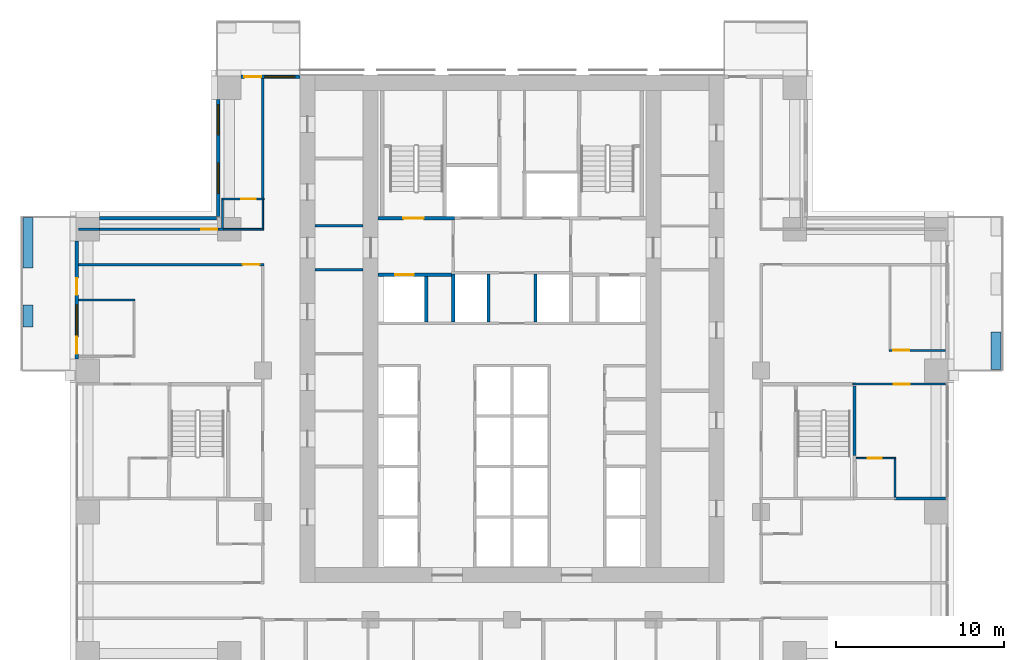
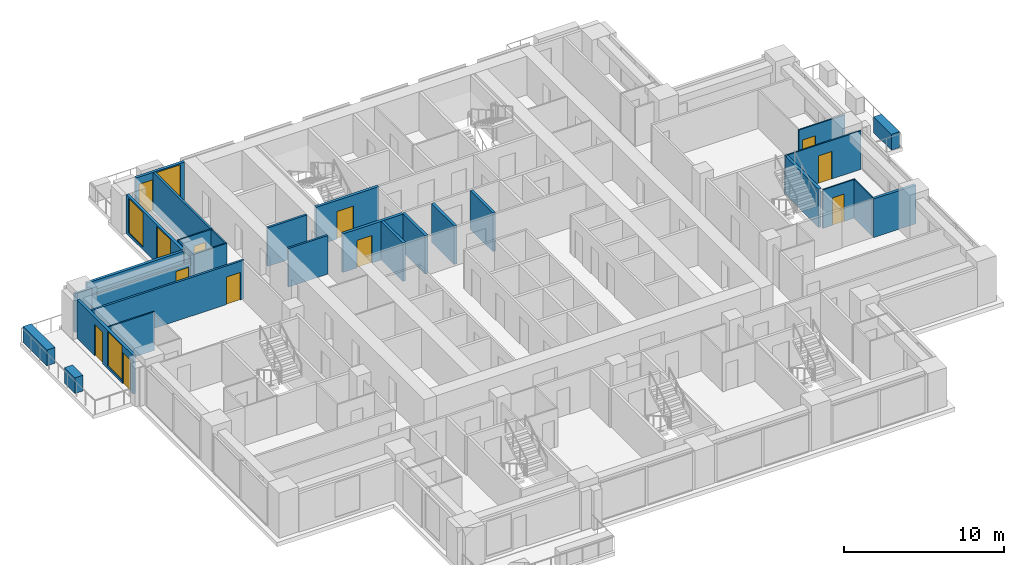
# One storey, part 10 of 16: 31 walls, 11 doors, 4 windows, 15 openings.
"""IFC4 building model written with IfcOpenShell, lengths in metres."""

from ifc_helpers import new_model, si_unit, direction, frame, frame_2d, origin, place, context, subcontext, project, spatial, rectangle, extrude, material, layer, layer_set, type_object, element, fill, save


model = new_model("IFC4")

# Units and contexts
model_context = context("Model", 3, precision=1e-05, world=origin(), true_north=direction((0.0, 1.0)))
body_context = subcontext(model_context, "Body", "Model", "MODEL_VIEW")
ifc_project = project(units=[si_unit("LENGTHUNIT", "METRE"), si_unit("AREAUNIT", "SQUARE_METRE"), si_unit("VOLUMEUNIT", "CUBIC_METRE"), si_unit("PLANEANGLEUNIT", "RADIAN"), si_unit("MASSUNIT", "GRAM", prefix="KILO")], contexts=[model_context])

# Site, building, storey
site_placement = place(None, origin())
site = spatial("IfcSite", under=ifc_project, at=site_placement, CompositionType="ELEMENT")
building_placement = place(site_placement, origin())
building = spatial("IfcBuilding", under=site, at=building_placement, Name="Vermilion Ogive Tower", CompositionType="ELEMENT")
storey_placement = place(building_placement, frame((0.0, 0.0, 72.449951171875)))
storey = spatial("IfcBuildingStorey", under=building, at=storey_placement, Name="L17", CompositionType="ELEMENT", Elevation=72.449951171875)

# Wall, opening, door
ifc_material_1 = material(Name="Gypsum board partition on steel studs", Category="steel")
ifc_layer_1 = layer(ifc_material_1, 0.10009765625)
ifc_layer_set_1 = layer_set([ifc_layer_1], Name="Partition 100 bath")
wall_type_1 = type_object("IfcWallType", Name="Partition 100 bath", PredefinedType="PARTITIONING", material=ifc_layer_set_1)
wall_1_placement = place(storey_placement, frame((20.449951171875, -1.0, 0.0), z_axis=(0.0, 0.0, 1.0), x_axis=(1.0, 0.0, 0.0)))
wall_1 = element("IfcWall", 1, at=wall_1_placement, inside=storey, type_object=wall_type_1, Name="L17-W-W034", PredefinedType="PARTITIONING", context=body_context, shape_type="SweptSolid", body=[
    extrude(rectangle(XDim=2.35009765625, YDim=0.10009765625, at=frame_2d((1.175048828125, 0.0))), origin(), (0.0, 0.0, 1.0), 2.949951171875),
])
opening_1_placement = place(wall_1_placement, frame((0.675048828125, 0.0, 0.0)))
opening_1 = element("IfcOpeningElement", 2, at=opening_1_placement, cuts=wall_1, Name="Opening D1G6022", PredefinedType="OPENING", context=body_context, shape_type="SweptSolid", body=[
    extrude(rectangle(XDim=0.85009765625, YDim=2.10009765625, at=frame_2d((0.425048828125, 1.050048828125))), frame((0.0, 0.06005859375, 0.0), z_axis=(0.0, -1.0, 0.0), x_axis=(1.0, 0.0, 0.0)), (0.0, 0.0, 1.0), 0.1201171875),
])
ifc_material_2 = material(Name="Timber door leaf", Category="wood")
door_type_1 = type_object("IfcDoorType", Name="Bath door 850 x 2100 FD30", OperationType="SINGLE_SWING_LEFT", PredefinedType="DOOR", material=ifc_material_2)
door_1_placement = place(opening_1_placement, origin())
door_1 = element("IfcDoor", 3, at=door_1_placement, inside=storey, type_object=door_type_1, Name="L17-D-D022", OperationType="SINGLE_SWING_RIGHT", OverallHeight=2.10009765625, OverallWidth=0.85009765625, PredefinedType="DOOR", context=body_context, shape_type="SweptSolid", body=[
    extrude(rectangle(XDim=0.85009765625, YDim=2.10009765625, at=frame_2d((0.425048828125, 1.050048828125))), frame((0.0, 0.02490234375, 0.0), z_axis=(0.0, -1.0, 0.0), x_axis=(1.0, 0.0, 0.0)), (0.0, 0.0, 1.0), 0.050048828125),
])
fill(opening_1, door_1)

# Wall
wall_2_placement = place(storey_placement, frame((-17.25, 12.60009765625, 0.0), z_axis=(0.0, 0.0, 1.0), x_axis=(1.0, 0.0, 0.0)))
element("IfcWall", 4, at=wall_2_placement, inside=storey, type_object=wall_type_1, Name="L17-W-W045", PredefinedType="PARTITIONING", context=body_context, shape_type="SweptSolid", body=[
    extrude(rectangle(XDim=2.5, YDim=0.10009765625, at=frame_2d((1.25, 0.0))), origin(), (0.0, 0.0, 1.0), 2.949951171875),
])

# Wall, opening, door
wall_3_placement = place(storey_placement, frame((-17.25, 14.39990234375, 0.0), z_axis=(0.0, 0.0, 1.0), x_axis=(1.0, 0.0, 0.0)))
wall_3 = element("IfcWall", 5, at=wall_3_placement, inside=storey, type_object=wall_type_1, Name="L17-W-W048", PredefinedType="PARTITIONING", context=body_context, shape_type="SweptSolid", body=[
    extrude(rectangle(XDim=2.52490234375, YDim=0.10009765625, at=frame_2d((1.262451171875, 0.0))), origin(), (0.0, 0.0, 1.0), 2.949951171875),
])
opening_2_placement = place(wall_3_placement, frame((1.175048828125, 0.0, 0.0)))
opening_2 = element("IfcOpeningElement", 6, at=opening_2_placement, cuts=wall_3, Name="Opening D1G6010", PredefinedType="OPENING", context=body_context, shape_type="SweptSolid", body=[
    extrude(rectangle(XDim=0.85009765625, YDim=2.10009765625, at=frame_2d((0.425048828125, 1.050048828125))), frame((0.0, 0.06005859375, 0.0), z_axis=(0.0, -1.0, 0.0), x_axis=(1.0, 0.0, 0.0)), (0.0, 0.0, 1.0), 0.1201171875),
])
door_2_placement = place(opening_2_placement, origin())
door_2 = element("IfcDoor", 7, at=door_2_placement, inside=storey, type_object=door_type_1, Name="L17-D-D010", OperationType="SINGLE_SWING_RIGHT", OverallHeight=2.10009765625, OverallWidth=0.85009765625, PredefinedType="DOOR", context=body_context, shape_type="SweptSolid", body=[
    extrude(rectangle(XDim=0.85009765625, YDim=2.10009765625, at=frame_2d((0.425048828125, 1.050048828125))), frame((0.0, 0.02490234375, 0.0), z_axis=(0.0, -1.0, 0.0), x_axis=(1.0, 0.0, 0.0)), (0.0, 0.0, 1.0), 0.050048828125),
])
fill(opening_2, door_2)

# Walls
wall_4_placement = place(storey_placement, frame((-17.199951171875, 12.675048828125, 0.0), z_axis=(0.0, 0.0, 1.0), x_axis=(0.0, 1.0, 0.0)))
element("IfcWall", 8, at=wall_4_placement, inside=storey, type_object=wall_type_1, Name="L17-W-W056", PredefinedType="PARTITIONING", context=body_context, shape_type="SweptSolid", body=[
    extrude(rectangle(XDim=1.675048828125, YDim=0.10009765625, at=frame_2d((0.83740234375, 0.0))), origin(), (0.0, 0.0, 1.0), 2.949951171875),
])
wall_5_placement = place(storey_placement, frame((-14.800048828125, 12.64990234375, 0.0), z_axis=(0.0, 0.0, 1.0), x_axis=(0.0, 1.0, 0.0)))
element("IfcWall", 9, at=wall_5_placement, inside=storey, type_object=wall_type_1, Name="L17-W-W063", PredefinedType="PARTITIONING", context=body_context, shape_type="SweptSolid", body=[
    extrude(rectangle(XDim=1.7001953125, YDim=0.10009765625, at=frame_2d((0.85009765625, 0.0))), origin(), (0.0, 0.0, 1.0), 2.949951171875),
])
wall_6_placement = place(storey_placement, frame((22.75, -3.300048828125, 0.0), z_axis=(0.0, 0.0, 1.0), x_axis=(0.0, 1.0, 0.0)))
element("IfcWall", 10, at=wall_6_placement, inside=storey, type_object=wall_type_1, Name="L17-W-W095", PredefinedType="PARTITIONING", context=body_context, shape_type="SweptSolid", body=[
    extrude(rectangle(XDim=2.25, YDim=0.10009765625, at=frame_2d((1.125, 0.0))), origin(), (0.0, 0.0, 1.0), 2.949951171875),
])

# Wall, opening, door
ifc_material_3 = material(Name="Gypsum board partition on steel studs", Category="steel")
ifc_layer_2 = layer(ifc_material_3, 0.10009765625)
ifc_layer_set_2 = layer_set([ifc_layer_2], Name="Partition 100 inner")
wall_type_2 = type_object("IfcWallType", Name="Partition 100 inner", PredefinedType="PARTITIONING", material=ifc_layer_set_2)
wall_7_placement = place(storey_placement, frame((20.25, 3.39990234375, 0.0), z_axis=(0.0, 0.0, 1.0), x_axis=(1.0, 0.0, 0.0)))
wall_7 = element("IfcWall", 11, at=wall_7_placement, inside=storey, type_object=wall_type_2, Name="L17-W-W038", PredefinedType="PARTITIONING", context=body_context, shape_type="SweptSolid", body=[
    extrude(rectangle(XDim=5.5, YDim=0.10009765625, at=frame_2d((2.75, 0.0))), origin(), (0.0, 0.0, 1.0), 2.949951171875),
])
opening_3_placement = place(wall_7_placement, frame((2.425048828125, 0.0, 0.0)))
opening_3 = element("IfcOpeningElement", 12, at=opening_3_placement, cuts=wall_7, Name="Opening D1G6021", PredefinedType="OPENING", context=body_context, shape_type="SweptSolid", body=[
    extrude(rectangle(XDim=0.949951171875, YDim=2.10009765625, at=frame_2d((0.47509765625, 1.050048828125))), frame((0.0, 0.06005859375, 0.0), z_axis=(0.0, -1.0, 0.0), x_axis=(1.0, 0.0, 0.0)), (0.0, 0.0, 1.0), 0.1201171875),
])
ifc_material_4 = material(Name="Timber door leaf", Category="wood")
door_type_2 = type_object("IfcDoorType", Name="Inner door 950 x 2100 FD30", OperationType="SINGLE_SWING_LEFT", PredefinedType="DOOR", material=ifc_material_4)
door_3_placement = place(opening_3_placement, origin())
door_3 = element("IfcDoor", 13, at=door_3_placement, inside=storey, type_object=door_type_2, Name="L17-D-D021", OperationType="SINGLE_SWING_LEFT", OverallHeight=2.10009765625, OverallWidth=0.949951171875, PredefinedType="DOOR", context=body_context, shape_type="SweptSolid", body=[
    extrude(rectangle(XDim=0.949951171875, YDim=2.10009765625, at=frame_2d((0.47509765625, 1.050048828125))), frame((0.0, 0.02490234375, 0.0), z_axis=(0.0, -1.0, 0.0), x_axis=(1.0, 0.0, 0.0)), (0.0, 0.0, 1.0), 0.050048828125),
])
fill(opening_3, door_3)

wall_8_placement = place(storey_placement, frame((22.39990234375, 5.39990234375, 0.0), z_axis=(0.0, 0.0, 1.0), x_axis=(1.0, 0.0, 0.0)))
wall_8 = element("IfcWall", 14, at=wall_8_placement, inside=storey, type_object=wall_type_2, Name="L17-W-W040", PredefinedType="PARTITIONING", context=body_context, shape_type="SweptSolid", body=[
    extrude(rectangle(XDim=3.35009765625, YDim=0.10009765625, at=frame_2d((1.675048828125, 0.0))), origin(), (0.0, 0.0, 1.0), 2.949951171875),
])
opening_4_placement = place(wall_8_placement, frame((0.25, 0.0, 0.0)))
opening_4 = element("IfcOpeningElement", 15, at=opening_4_placement, cuts=wall_8, Name="Opening D1G6019", PredefinedType="OPENING", context=body_context, shape_type="SweptSolid", body=[
    extrude(rectangle(XDim=0.949951171875, YDim=2.10009765625, at=frame_2d((0.47509765625, 1.050048828125))), frame((0.0, 0.06005859375, 0.0), z_axis=(0.0, -1.0, 0.0), x_axis=(1.0, 0.0, 0.0)), (0.0, 0.0, 1.0), 0.1201171875),
])
door_4_placement = place(opening_4_placement, origin())
door_4 = element("IfcDoor", 16, at=door_4_placement, inside=storey, type_object=door_type_2, Name="L17-D-D019", OperationType="SINGLE_SWING_LEFT", OverallHeight=2.10009765625, OverallWidth=0.949951171875, PredefinedType="DOOR", context=body_context, shape_type="SweptSolid", body=[
    extrude(rectangle(XDim=0.949951171875, YDim=2.10009765625, at=frame_2d((0.47509765625, 1.050048828125))), frame((0.0, 0.02490234375, 0.0), z_axis=(0.0, -1.0, 0.0), x_axis=(1.0, 0.0, 0.0)), (0.0, 0.0, 1.0), 0.050048828125),
])
fill(opening_4, door_4)

# Wall
wall_9_placement = place(storey_placement, frame((-25.75, 8.39990234375, 0.0), z_axis=(0.0, 0.0, 1.0), x_axis=(1.0, 0.0, 0.0)))
element("IfcWall", 17, at=wall_9_placement, inside=storey, type_object=wall_type_2, Name="L17-W-W041", PredefinedType="PARTITIONING", context=body_context, shape_type="SweptSolid", body=[
    extrude(rectangle(XDim=3.35009765625, YDim=0.10009765625, at=frame_2d((1.675048828125, 0.0))), origin(), (0.0, 0.0, 1.0), 2.949951171875),
])

# Wall, opening, door
ifc_material_5 = material(Name="Gypsum board partition on steel studs", Category="steel")
ifc_layer_3 = layer(ifc_material_5, 0.14990234375)
ifc_layer_set_3 = layer_set([ifc_layer_3], Name="Partition 150 corridor")
wall_type_3 = type_object("IfcWallType", Name="Partition 150 corridor", PredefinedType="PARTITIONING", material=ifc_layer_set_3)
wall_10_placement = place(storey_placement, frame((-25.75, 10.5, 0.0), z_axis=(0.0, 0.0, 1.0), x_axis=(1.0, 0.0, 0.0)))
wall_10 = element("IfcWall", 18, at=wall_10_placement, inside=storey, type_object=wall_type_3, Name="L17-W-W042", PredefinedType="PARTITIONING", context=body_context, shape_type="SweptSolid", body=[
    extrude(rectangle(XDim=11.02490234375, YDim=0.14990234375, at=frame_2d((5.512451171875, 0.0))), origin(), (0.0, 0.0, 1.0), 2.949951171875),
])
opening_5_placement = place(wall_10_placement, frame((9.75, 0.0, 0.0)))
opening_5 = element("IfcOpeningElement", 19, at=opening_5_placement, cuts=wall_10, Name="Opening D1G6006", PredefinedType="OPENING", context=body_context, shape_type="SweptSolid", body=[
    extrude(rectangle(XDim=1.0, YDim=2.10009765625, at=frame_2d((0.5, 1.050048828125))), frame((0.0, 0.0849609375, 0.0), z_axis=(0.0, -1.0, 0.0), x_axis=(1.0, 0.0, 0.0)), (0.0, 0.0, 1.0), 0.169921875),
])
ifc_material_6 = material(Name="Timber door leaf", Category="wood")
door_type_3 = type_object("IfcDoorType", Name="Unit door 1000 x 2100 FD30S", OperationType="SINGLE_SWING_LEFT", PredefinedType="DOOR", material=ifc_material_6)
door_5_placement = place(opening_5_placement, origin())
door_5 = element("IfcDoor", 20, at=door_5_placement, inside=storey, type_object=door_type_3, Name="L17-D-D006", OperationType="SINGLE_SWING_RIGHT", OverallHeight=2.10009765625, OverallWidth=1.0, PredefinedType="DOOR", context=body_context, shape_type="SweptSolid", body=[
    extrude(rectangle(XDim=1.0, YDim=2.10009765625, at=frame_2d((0.5, 1.050048828125))), frame((0.0, 0.02490234375, 0.0), z_axis=(0.0, -1.0, 0.0), x_axis=(1.0, 0.0, 0.0)), (0.0, 0.0, 1.0), 0.050048828125),
])
fill(opening_5, door_5)

# Walls
wall_11_placement = place(storey_placement, frame((-25.75, 12.60009765625, 0.0), z_axis=(0.0, 0.0, 1.0), x_axis=(1.0, 0.0, 0.0)))
element("IfcWall", 21, at=wall_11_placement, inside=storey, type_object=wall_type_3, Name="L17-W-W044", PredefinedType="PARTITIONING", context=body_context, shape_type="SweptSolid", body=[
    extrude(rectangle(XDim=1.25, YDim=0.14990234375, at=frame_2d((0.625, 0.0))), origin(), (0.0, 0.0, 1.0), 2.949951171875),
])
wall_12_placement = place(storey_placement, frame((-14.800048828125, 14.449951171875, 0.0), z_axis=(0.0, 0.0, 1.0), x_axis=(0.0, 1.0, 0.0)))
element("IfcWall", 22, at=wall_12_placement, inside=storey, type_object=wall_type_3, Name="L17-W-W064", PredefinedType="PARTITIONING", context=body_context, shape_type="SweptSolid", body=[
    extrude(rectangle(XDim=7.10009765625, YDim=0.14990234375, at=frame_2d((3.550048828125, 0.0))), origin(), (0.0, 0.0, 1.0), 2.949951171875),
])
for number, where, z_axis, x_axis, name in (
    (23, (-11.698974609375, 10.199951171875, 0.0), (0.0, 0.0, 1.0), (1.0, 0.0, 0.0), "L17-CKW-W-W004"),
    (24, (-11.698974609375, 12.800048828125, 0.0), (0.0, 0.0, 1.0), (1.0, 0.0, 0.0), "L17-CKW-W-W005"),
):
    element("IfcWall", number, at=place(storey_placement, frame(where, z_axis=z_axis, x_axis=x_axis)), inside=storey, type_object=wall_type_3, Name=name, PredefinedType="PARTITIONING", context=body_context, shape_type="SweptSolid", body=[
        extrude(rectangle(XDim=2.847900390625, YDim=0.14990234375, at=frame_2d((1.423828125, 0.0))), origin(), (0.0, 0.0, 1.0), 2.949951171875),
    ])

# Wall, opening, door
wall_13_placement = place(storey_placement, frame((-24.5, 12.60009765625, 0.0), z_axis=(0.0, 0.0, 1.0), x_axis=(1.0, 0.0, 0.0)))
wall_13 = element("IfcWall", 25, at=wall_13_placement, inside=storey, type_object=wall_type_3, Name="L17-W-W044-h1", PredefinedType="PARTITIONING", context=body_context, shape_type="SweptSolid", body=[
    extrude(rectangle(XDim=7.099853515625, YDim=0.14990234375, at=frame_2d((3.5498046875, 0.0))), origin(), (0.0, 0.0, 1.0), 2.400146484375),
])
opening_6_placement = place(wall_13_placement, frame((6.0498046875, 0.0, 0.0)))
opening_6 = element("IfcOpeningElement", 26, at=opening_6_placement, cuts=wall_13, Name="Opening D1G6009", PredefinedType="OPENING", context=body_context, shape_type="SweptSolid", body=[
    extrude(rectangle(XDim=0.949951171875, YDim=2.10009765625, at=frame_2d((0.47509765625, 1.050048828125))), frame((0.0, 0.0849609375, 0.0), z_axis=(0.0, -1.0, 0.0), x_axis=(1.0, 0.0, 0.0)), (0.0, 0.0, 1.0), 0.169921875),
])
ifc_material_7 = material(Name="Timber door leaf", Category="wood")
door_type_4 = type_object("IfcDoorType", Name="Unit door 950 x 2100 FD30S", OperationType="SINGLE_SWING_LEFT", PredefinedType="DOOR", material=ifc_material_7)
door_6_placement = place(opening_6_placement, origin())
door_6 = element("IfcDoor", 27, at=door_6_placement, inside=storey, type_object=door_type_4, Name="L17-D-D009", OperationType="SINGLE_SWING_LEFT", OverallHeight=2.10009765625, OverallWidth=0.949951171875, PredefinedType="DOOR", context=body_context, shape_type="SweptSolid", body=[
    extrude(rectangle(XDim=0.949951171875, YDim=2.10009765625, at=frame_2d((0.47509765625, 1.050048828125))), frame((0.0, 0.02490234375, 0.0), z_axis=(0.0, -1.0, 0.0), x_axis=(1.0, 0.0, 0.0)), (0.0, 0.0, 1.0), 0.050048828125),
])
fill(opening_6, door_6)

# Walls
wall_14_placement = place(storey_placement, frame((-17.400146484375, 12.60009765625, 0.0), z_axis=(0.0, 0.0, 1.0), x_axis=(1.0, 0.0, 0.0)))
element("IfcWall", 28, at=wall_14_placement, inside=storey, type_object=wall_type_3, Name="L17-W-W044-h2", PredefinedType="PARTITIONING", context=body_context, shape_type="SweptSolid", body=[
    extrude(rectangle(XDim=0.250244140625, YDim=0.14990234375, at=frame_2d((0.125, 0.0))), origin(), (0.0, 0.0, 1.0), 2.949951171875),
])
ifc_material_8 = material(Name="Gypsum board partition on steel studs", Category="steel")
ifc_layer_4 = layer(ifc_material_8, 0.199951171875)
ifc_layer_set_4 = layer_set([ifc_layer_4], Name="Partition 200 party")
wall_type_4 = type_object("IfcWallType", Name="Partition 200 party", PredefinedType="PARTITIONING", material=ifc_layer_set_4)
wall_15_placement = place(storey_placement, frame((22.699951171875, -3.39990234375, 0.0), z_axis=(0.0, 0.0, 1.0), x_axis=(1.0, 0.0, 0.0)))
element("IfcWall", 29, at=wall_15_placement, inside=storey, type_object=wall_type_4, Name="L17-W-W032", PredefinedType="PARTITIONING", context=body_context, shape_type="SweptSolid", body=[
    extrude(rectangle(XDim=3.050048828125, YDim=0.199951171875, at=frame_2d((1.52490234375, 0.0))), origin(), (0.0, 0.0, 1.0), 2.949951171875),
])

# Wall, opening, door
wall_16_placement = place(storey_placement, frame((-7.948974609375, 9.89990234375, 0.0), z_axis=(0.0, 0.0, 1.0), x_axis=(1.0, 0.0, 0.0)))
wall_16 = element("IfcWall", 30, at=wall_16_placement, inside=storey, type_object=wall_type_4, Name="L17-CK-W-W015", PredefinedType="PARTITIONING", context=body_context, shape_type="SweptSolid", body=[
    extrude(rectangle(XDim=4.348876953125, YDim=0.199951171875, at=frame_2d((2.17431640625, 0.0))), origin(), (0.0, 0.0, 1.0), 2.949951171875),
])
opening_7_placement = place(wall_16_placement, frame((0.9990234375, 0.0, 0.0)))
opening_7 = element("IfcOpeningElement", 31, at=opening_7_placement, cuts=wall_16, Name="Opening DAA136", PredefinedType="OPENING", context=body_context, shape_type="SweptSolid", body=[
    extrude(rectangle(XDim=1.10009765625, YDim=2.10009765625, at=frame_2d((0.550048828125, 1.050048828125))), frame((0.0, 0.10986328125, 0.0), z_axis=(0.0, -1.0, 0.0), x_axis=(1.0, 0.0, 0.0)), (0.0, 0.0, 1.0), 0.219970703125),
])
ifc_material_9 = material(Name="Stainless steel", Category="steel")
door_type_5 = type_object("IfcDoorType", Name="Lift landing door 1100 x 2100", OperationType="SLIDING_TO_LEFT", PredefinedType="DOOR", material=ifc_material_9)
door_7_placement = place(opening_7_placement, origin())
door_7 = element("IfcDoor", 32, at=door_7_placement, inside=storey, type_object=door_type_5, Name="L17-CK-D-D013", OperationType="SLIDING_TO_RIGHT", OverallHeight=2.10009765625, OverallWidth=1.10009765625, PredefinedType="DOOR", context=body_context, shape_type="SweptSolid", body=[
    extrude(rectangle(XDim=1.10009765625, YDim=2.10009765625, at=frame_2d((0.550048828125, 1.050048828125))), frame((0.0, 0.02490234375, 0.0), z_axis=(0.0, -1.0, 0.0), x_axis=(1.0, 0.0, 0.0)), (0.0, 0.0, 1.0), 0.050048828125),
])
fill(opening_7, door_7)

# Walls
wall_17_placement = place(storey_placement, frame((-5.10009765625, 7.074951171875, 0.0), z_axis=(0.0, 0.0, 1.0), x_axis=(0.0, 1.0, 0.0)))
element("IfcWall", 33, at=wall_17_placement, inside=storey, type_object=wall_type_4, Name="L17-CK-W-W024", PredefinedType="PARTITIONING", context=body_context, shape_type="SweptSolid", body=[
    extrude(rectangle(XDim=2.72509765625, YDim=0.199951171875, at=frame_2d((1.362548828125, 0.0))), origin(), (0.0, 0.0, 1.0), 2.949951171875),
])
for number, where, z_axis, x_axis, name in (
    (34, (-3.5, 7.074951171875, 0.0), (0.0, 0.0, 1.0), (0.0, 1.0, 0.0), "L17-CK-W-W026"),
    (35, (-1.39990234375, 7.074951171875, 0.0), (0.0, 0.0, 1.0), (0.0, 1.0, 0.0), "L17-CK-W-W029"),
    (36, (1.39990234375, 7.074951171875, 0.0), (0.0, 0.0, 1.0), (0.0, 1.0, 0.0), "L17-CK-W-W034"),
):
    element("IfcWall", number, at=place(storey_placement, frame(where, z_axis=z_axis, x_axis=x_axis)), inside=storey, type_object=wall_type_4, Name=name, PredefinedType="PARTITIONING", context=body_context, shape_type="SweptSolid", body=[
        extrude(rectangle(XDim=2.85009765625, YDim=0.199951171875, at=frame_2d((1.425048828125, 0.0))), origin(), (0.0, 0.0, 1.0), 2.949951171875),
    ])
ifc_material_10 = material(Name="Concrete B60", Category="concrete")
ifc_layer_5 = layer(ifc_material_10, 0.199951171875)
ifc_layer_set_5 = layer_set([ifc_layer_5], Name="Stair shaft wall 200 Concrete B60")
wall_type_5 = type_object("IfcWallType", Name="Stair shaft wall 200 Concrete B60", PredefinedType="SOLIDWALL", material=ifc_layer_set_5)
wall_18_placement = place(storey_placement, frame((20.35009765625, -0.830078125, 0.0), z_axis=(0.0, 0.0, 1.0), x_axis=(0.0, 1.0, 0.0)))
element("IfcWall", 37, at=wall_18_placement, inside=storey, type_object=wall_type_5, Name="L17-W-W093", PredefinedType="SOLIDWALL", context=body_context, shape_type="SweptSolid", body=[
    extrude(rectangle(XDim=4.130126953125, YDim=0.199951171875, at=frame_2d((2.06494140625, 0.0))), origin(), (0.0, 0.0, 1.0), 2.949951171875),
])

# Wall, opening, door
wall_19_placement = place(storey_placement, frame((-7.948974609375, 13.25, 0.0), z_axis=(0.0, 0.0, 1.0), x_axis=(1.0, 0.0, 0.0)))
wall_19 = element("IfcWall", 38, at=wall_19_placement, inside=storey, type_object=wall_type_5, Name="L17-CK-W-W018", PredefinedType="SOLIDWALL", context=body_context, shape_type="SweptSolid", body=[
    extrude(rectangle(XDim=4.52392578125, YDim=0.199951171875, at=frame_2d((2.261962890625, 0.0))), origin(), (0.0, 0.0, 1.0), 2.949951171875),
])
opening_8_placement = place(wall_19_placement, frame((1.4990234375, 0.0, 0.0)))
opening_8 = element("IfcOpeningElement", 39, at=opening_8_placement, cuts=wall_19, Name="Opening DAA124", PredefinedType="OPENING", context=body_context, shape_type="SweptSolid", body=[
    extrude(rectangle(XDim=1.199951171875, YDim=2.10009765625, at=frame_2d((0.60009765625, 1.050048828125))), frame((0.0, 0.10986328125, 0.0), z_axis=(0.0, -1.0, 0.0), x_axis=(1.0, 0.0, 0.0)), (0.0, 0.0, 1.0), 0.219970703125),
])
ifc_material_11 = material(Name="Timber door leaf", Category="wood")
door_type_6 = type_object("IfcDoorType", Name="Stair door 1200 x 2100 FD60S", OperationType="SINGLE_SWING_LEFT", PredefinedType="DOOR", material=ifc_material_11)
door_8_placement = place(opening_8_placement, origin())
door_8 = element("IfcDoor", 40, at=door_8_placement, inside=storey, type_object=door_type_6, Name="L17-CK-D-D012", OperationType="SINGLE_SWING_LEFT", OverallHeight=2.10009765625, OverallWidth=1.199951171875, PredefinedType="DOOR", context=body_context, shape_type="SweptSolid", body=[
    extrude(rectangle(XDim=1.199951171875, YDim=2.10009765625, at=frame_2d((0.60009765625, 1.050048828125))), frame((0.0, 0.02490234375, 0.0), z_axis=(0.0, -1.0, 0.0), x_axis=(1.0, 0.0, 0.0)), (0.0, 0.0, 1.0), 0.050048828125),
])
fill(opening_8, door_8)

# Walls
ifc_material_12 = material(Name="Concrete B40", Category="concrete")
ifc_layer_6 = layer(ifc_material_12, 0.60009765625)
ifc_layer_set_6 = layer_set([ifc_layer_6], Name="Structural planter")
wall_type_6 = type_object("IfcWallType", Name="Structural planter", PredefinedType="USERDEFINED", material=ifc_layer_set_6)
wall_20_placement = place(storey_placement, frame((28.75, 4.260009765625, -0.0400390625), z_axis=(0.0, 0.0, 1.0), x_axis=(0.0, 1.0, 0.0)))
element("IfcWall", 41, at=wall_20_placement, inside=storey, type_object=wall_type_6, Name="Planter E03A1", ObjectType="PLANTER", PredefinedType="USERDEFINED", context=body_context, shape_type="SweptSolid", body=[
    extrude(rectangle(XDim=2.239990234375, YDim=0.60009765625, at=frame_2d((1.1201171875, 0.0))), origin(), (0.0, 0.0, 1.0), 1.2001953125),
])
wall_21_placement = place(storey_placement, frame((-28.75, 13.2900390625, -0.0400390625), z_axis=(0.0, 0.0, 1.0), x_axis=(0.0, -1.0, 0.0)))
element("IfcWall", 42, at=wall_21_placement, inside=storey, type_object=wall_type_6, Name="Planter W01A1", ObjectType="PLANTER", PredefinedType="USERDEFINED", context=body_context, shape_type="SweptSolid", body=[
    extrude(rectangle(XDim=2.989990234375, YDim=0.60009765625, at=frame_2d((1.4951171875, 0.0))), origin(), (0.0, 0.0, 1.0), 1.2001953125),
])
wall_22_placement = place(storey_placement, frame((-28.75, 8.10009765625, -0.0400390625), z_axis=(0.0, 0.0, 1.0), x_axis=(0.0, -1.0, 0.0)))
element("IfcWall", 43, at=wall_22_placement, inside=storey, type_object=wall_type_6, Name="Planter W01A2", ObjectType="PLANTER", PredefinedType="USERDEFINED", context=body_context, shape_type="SweptSolid", body=[
    extrude(rectangle(XDim=1.300048828125, YDim=0.60009765625, at=frame_2d((0.64990234375, 0.0))), origin(), (0.0, 0.0, 1.0), 1.2001953125),
])

# Wall, openings, door, window
ifc_material_13 = material(Name="Aluminium window wall framing", Category="aluminium")
ifc_layer_7 = layer(ifc_material_13, 0.199951171875)
ifc_layer_set_7 = layer_set([ifc_layer_7], Name="Window wall")
wall_type_7 = type_object("IfcWallType", Name="Window wall", PredefinedType="STANDARD", material=ifc_layer_set_7)
wall_23_placement = place(storey_placement, frame((-12.60009765625, 21.64990234375, 0.0), z_axis=(0.0, 0.0, 1.0), x_axis=(-1.0, 0.0, 0.0)))
wall_23 = element("IfcWall", 44, at=wall_23_placement, inside=storey, type_object=wall_type_7, Name="Window wall N21", PredefinedType="STANDARD", context=body_context, shape_type="SweptSolid", body=[
    extrude(rectangle(XDim=3.5, YDim=0.199951171875, at=frame_2d((1.75, 0.0))), origin(), (0.0, 0.0, 1.0), 2.949951171875),
])
opening_9_placement = place(wall_23_placement, frame((0.300048828125, 0.0, 0.199951171875)))
opening_9 = element("IfcOpeningElement", 45, at=opening_9_placement, cuts=wall_23, Name="Opening W1-N296", PredefinedType="OPENING", context=body_context, shape_type="SweptSolid", body=[
    extrude(rectangle(XDim=1.800048828125, YDim=2.64990234375, at=frame_2d((0.89990234375, 1.324951171875))), frame((0.0, 0.10986328125, 0.0), z_axis=(0.0, -1.0, 0.0), x_axis=(1.0, 0.0, 0.0)), (0.0, 0.0, 1.0), 0.219970703125),
])
opening_10_placement = place(wall_23_placement, frame((2.300048828125, 0.0, 0.0)))
opening_10 = element("IfcOpeningElement", 46, at=opening_10_placement, cuts=wall_23, Name="Opening D1-N296", PredefinedType="OPENING", context=body_context, shape_type="SweptSolid", body=[
    extrude(rectangle(XDim=1.0, YDim=2.39990234375, at=frame_2d((0.5, 1.199951171875))), frame((0.0, 0.10986328125, 0.0), z_axis=(0.0, -1.0, 0.0), x_axis=(1.0, 0.0, 0.0)), (0.0, 0.0, 1.0), 0.219970703125),
])
ifc_material_14 = material(Name="Aluminium framed glazed door", Category="aluminium")
door_type_7 = type_object("IfcDoorType", Name="Balcony door D1", OperationType="SINGLE_SWING_LEFT", PredefinedType="DOOR", material=ifc_material_14)
door_9_placement = place(opening_10_placement, origin())
door_9 = element("IfcDoor", 47, at=door_9_placement, inside=storey, type_object=door_type_7, Name="Balcony door N296", OperationType="SINGLE_SWING_LEFT", OverallHeight=2.39990234375, OverallWidth=1.0, PredefinedType="DOOR", context=body_context, shape_type="SweptSolid", body=[
    extrude(rectangle(XDim=1.0, YDim=2.39990234375, at=frame_2d((0.5, 1.199951171875))), frame((0.0, 0.02490234375, 0.0), z_axis=(0.0, -1.0, 0.0), x_axis=(1.0, 0.0, 0.0)), (0.0, 0.0, 1.0), 0.050048828125),
])
fill(opening_10, door_9)
ifc_material_15 = material(Name="Aluminium framed double glazing", Category="aluminium")
window_type = type_object("IfcWindowType", Name="Guest window W1", PartitioningType="SINGLE_PANEL", PredefinedType="WINDOW", material=ifc_material_15)
window_1_placement = place(opening_9_placement, origin())
window_1 = element("IfcWindow", 48, at=window_1_placement, inside=storey, type_object=window_type, Name="Window N296", OverallHeight=2.64990234375, OverallWidth=1.800048828125, PartitioningType="SINGLE_PANEL", PredefinedType="WINDOW", context=body_context, shape_type="SweptSolid", body=[
    extrude(rectangle(XDim=1.800048828125, YDim=2.64990234375, at=frame_2d((0.89990234375, 1.324951171875))), frame((0.0, 0.030029296875, 0.0), z_axis=(0.0, -1.0, 0.0), x_axis=(1.0, 0.0, 0.0)), (0.0, 0.0, 1.0), 0.06005859375),
])
fill(opening_9, window_1)

# Wall, openings, windows
wall_24_placement = place(storey_placement, frame((-17.449951171875, 20.300048828125, 0.0), z_axis=(0.0, 0.0, 1.0), x_axis=(0.0, -1.0, 0.0)))
wall_24 = element("IfcWall", 49, at=wall_24_placement, inside=storey, type_object=wall_type_7, Name="Window wall X51", PredefinedType="STANDARD", context=body_context, shape_type="SweptSolid", body=[
    extrude(rectangle(XDim=6.949951171875, YDim=0.199951171875, at=frame_2d((3.47509765625, 0.0))), origin(), (0.0, 0.0, 1.0), 2.949951171875),
])
opening_11_placement = place(wall_24_placement, frame((3.77490234375, 0.0, 0.199951171875)))
opening_11 = element("IfcOpeningElement", 50, at=opening_11_placement, cuts=wall_24, Name="Opening W1-X503", PredefinedType="OPENING", context=body_context, shape_type="SweptSolid", body=[
    extrude(rectangle(XDim=1.800048828125, YDim=2.64990234375, at=frame_2d((0.89990234375, 1.324951171875))), frame((0.0, 0.10986328125, 0.0), z_axis=(0.0, -1.0, 0.0), x_axis=(1.0, 0.0, 0.0)), (0.0, 0.0, 1.0), 0.219970703125),
])
opening_12_placement = place(wall_24_placement, frame((0.300048828125, 0.0, 0.199951171875)))
opening_12 = element("IfcOpeningElement", 51, at=opening_12_placement, cuts=wall_24, Name="Opening W1-X504", PredefinedType="OPENING", context=body_context, shape_type="SweptSolid", body=[
    extrude(rectangle(XDim=1.800048828125, YDim=2.64990234375, at=frame_2d((0.89990234375, 1.324951171875))), frame((0.0, 0.10986328125, 0.0), z_axis=(0.0, -1.0, 0.0), x_axis=(1.0, 0.0, 0.0)), (0.0, 0.0, 1.0), 0.219970703125),
])
window_2_placement = place(opening_11_placement, origin())
window_2 = element("IfcWindow", 52, at=window_2_placement, inside=storey, type_object=window_type, Name="Window X503", OverallHeight=2.64990234375, OverallWidth=1.800048828125, PartitioningType="SINGLE_PANEL", PredefinedType="WINDOW", context=body_context, shape_type="SweptSolid", body=[
    extrude(rectangle(XDim=1.800048828125, YDim=2.64990234375, at=frame_2d((0.89990234375, 1.324951171875))), frame((0.0, 0.030029296875, 0.0), z_axis=(0.0, -1.0, 0.0), x_axis=(1.0, 0.0, 0.0)), (0.0, 0.0, 1.0), 0.06005859375),
])
fill(opening_11, window_2)
window_3_placement = place(opening_12_placement, origin())
window_3 = element("IfcWindow", 53, at=window_3_placement, inside=storey, type_object=window_type, Name="Window X504", OverallHeight=2.64990234375, OverallWidth=1.800048828125, PartitioningType="SINGLE_PANEL", PredefinedType="WINDOW", context=body_context, shape_type="SweptSolid", body=[
    extrude(rectangle(XDim=1.800048828125, YDim=2.64990234375, at=frame_2d((0.89990234375, 1.324951171875))), frame((0.0, 0.030029296875, 0.0), z_axis=(0.0, -1.0, 0.0), x_axis=(1.0, 0.0, 0.0)), (0.0, 0.0, 1.0), 0.06005859375),
])
fill(opening_12, window_3)

# Wall
wall_25_placement = place(storey_placement, frame((-17.550048828125, 13.25, 0.0), z_axis=(0.0, 0.0, 1.0), x_axis=(-1.0, 0.0, 0.0)))
element("IfcWall", 54, at=wall_25_placement, inside=storey, type_object=wall_type_7, Name="Window wall X61", PredefinedType="STANDARD", context=body_context, shape_type="SweptSolid", body=[
    extrude(rectangle(XDim=6.949951171875, YDim=0.199951171875, at=frame_2d((3.47509765625, 0.0))), origin(), (0.0, 0.0, 1.0), 2.949951171875),
])

# Wall, openings, doors, window
wall_26_placement = place(storey_placement, frame((-25.85009765625, 11.89990234375, 0.0), z_axis=(0.0, 0.0, 1.0), x_axis=(0.0, -1.0, 0.0)))
wall_26 = element("IfcWall", 55, at=wall_26_placement, inside=storey, type_object=wall_type_7, Name="Window wall W1", PredefinedType="STANDARD", context=body_context, shape_type="SweptSolid", body=[
    extrude(rectangle(XDim=7.0, YDim=0.199951171875, at=frame_2d((3.5, 0.0))), origin(), (0.0, 0.0, 1.0), 2.949951171875),
])
opening_13_placement = place(wall_26_placement, frame((3.800048828125, 0.0, 0.199951171875)))
opening_13 = element("IfcOpeningElement", 56, at=opening_13_placement, cuts=wall_26, Name="Opening W1-W01", PredefinedType="OPENING", context=body_context, shape_type="SweptSolid", body=[
    extrude(rectangle(XDim=1.800048828125, YDim=2.64990234375, at=frame_2d((0.89990234375, 1.324951171875))), frame((0.0, 0.10986328125, 0.0), z_axis=(0.0, -1.0, 0.0), x_axis=(1.0, 0.0, 0.0)), (0.0, 0.0, 1.0), 0.219970703125),
])
opening_14_placement = place(wall_26_placement, frame((5.699951171875, 0.0, 0.0)))
opening_14 = element("IfcOpeningElement", 57, at=opening_14_placement, cuts=wall_26, Name="Opening D1-W01", PredefinedType="OPENING", context=body_context, shape_type="SweptSolid", body=[
    extrude(rectangle(XDim=1.0, YDim=2.39990234375, at=frame_2d((0.5, 1.199951171875))), frame((0.0, 0.10986328125, 0.0), z_axis=(0.0, -1.0, 0.0), x_axis=(1.0, 0.0, 0.0)), (0.0, 0.0, 1.0), 0.219970703125),
])
opening_15_placement = place(wall_26_placement, frame((2.199951171875, 0.0, 0.0)))
opening_15 = element("IfcOpeningElement", 58, at=opening_15_placement, cuts=wall_26, Name="Opening D1-W02", PredefinedType="OPENING", context=body_context, shape_type="SweptSolid", body=[
    extrude(rectangle(XDim=1.0, YDim=2.39990234375, at=frame_2d((0.5, 1.199951171875))), frame((0.0, 0.10986328125, 0.0), z_axis=(0.0, -1.0, 0.0), x_axis=(1.0, 0.0, 0.0)), (0.0, 0.0, 1.0), 0.219970703125),
])
door_10_placement = place(opening_14_placement, origin())
door_10 = element("IfcDoor", 59, at=door_10_placement, inside=storey, type_object=door_type_7, Name="Balcony door W01", OperationType="SINGLE_SWING_LEFT", OverallHeight=2.39990234375, OverallWidth=1.0, PredefinedType="DOOR", context=body_context, shape_type="SweptSolid", body=[
    extrude(rectangle(XDim=1.0, YDim=2.39990234375, at=frame_2d((0.5, 1.199951171875))), frame((0.0, 0.02490234375, 0.0), z_axis=(0.0, -1.0, 0.0), x_axis=(1.0, 0.0, 0.0)), (0.0, 0.0, 1.0), 0.050048828125),
])
fill(opening_14, door_10)
door_11_placement = place(opening_15_placement, origin())
door_11 = element("IfcDoor", 60, at=door_11_placement, inside=storey, type_object=door_type_7, Name="Balcony door W02", OperationType="SINGLE_SWING_LEFT", OverallHeight=2.39990234375, OverallWidth=1.0, PredefinedType="DOOR", context=body_context, shape_type="SweptSolid", body=[
    extrude(rectangle(XDim=1.0, YDim=2.39990234375, at=frame_2d((0.5, 1.199951171875))), frame((0.0, 0.02490234375, 0.0), z_axis=(0.0, -1.0, 0.0), x_axis=(1.0, 0.0, 0.0)), (0.0, 0.0, 1.0), 0.050048828125),
])
fill(opening_15, door_11)
window_4_placement = place(opening_13_placement, origin())
window_4 = element("IfcWindow", 61, at=window_4_placement, inside=storey, type_object=window_type, Name="Window W01", OverallHeight=2.64990234375, OverallWidth=1.800048828125, PartitioningType="SINGLE_PANEL", PredefinedType="WINDOW", context=body_context, shape_type="SweptSolid", body=[
    extrude(rectangle(XDim=1.800048828125, YDim=2.64990234375, at=frame_2d((0.89990234375, 1.324951171875))), frame((0.0, 0.030029296875, 0.0), z_axis=(0.0, -1.0, 0.0), x_axis=(1.0, 0.0, 0.0)), (0.0, 0.0, 1.0), 0.06005859375),
])
fill(opening_13, window_4)

save(model, "model.ifc")
